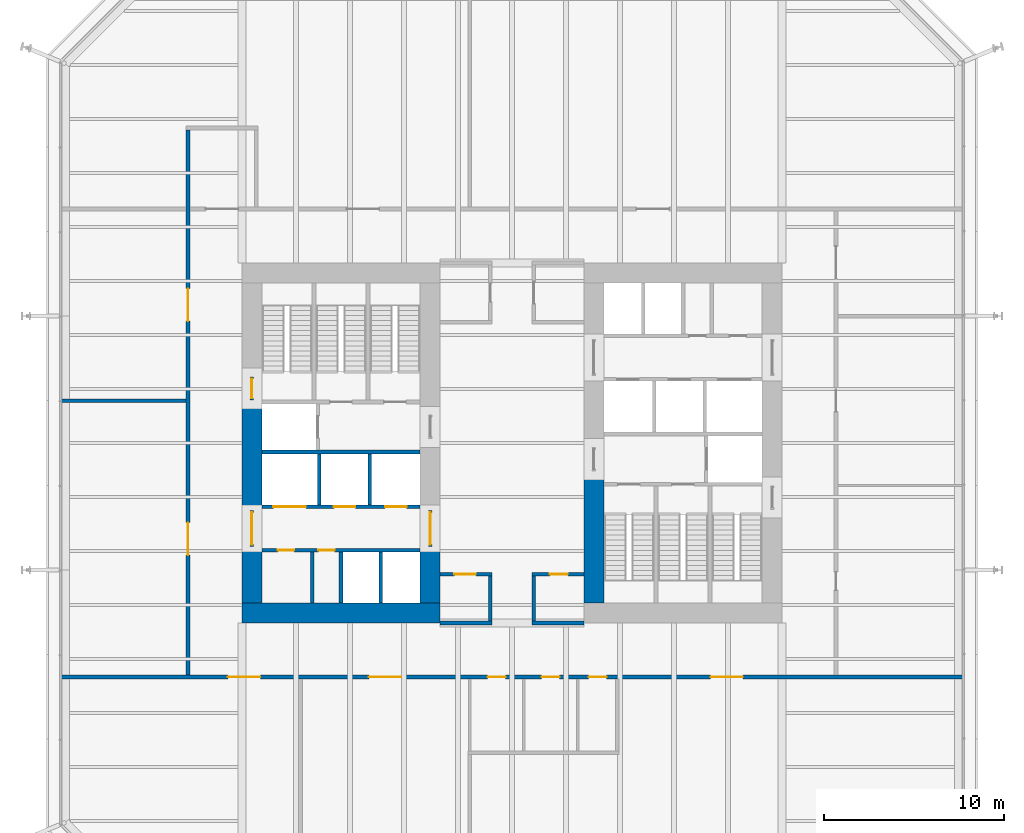
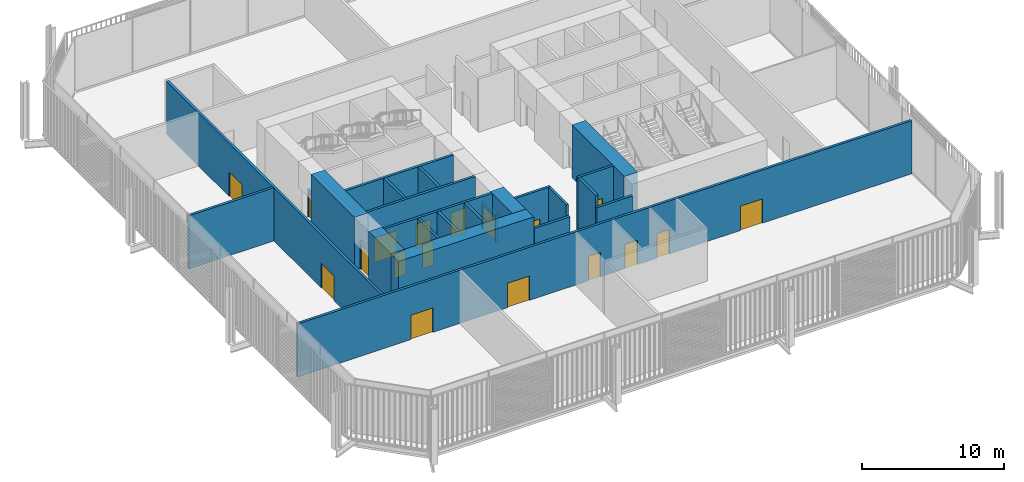
# One storey, part 18 of 22: 25 walls, 18 doors, 18 openings.
"""IFC4 building model written with IfcOpenShell, lengths in metres."""

from ifc_helpers import new_model, si_unit, direction, frame, frame_2d, origin, place, context, subcontext, project, spatial, rectangle, extrude, material, layer, layer_set, type_object, element, fill, save


model = new_model("IFC4")

# Units and contexts
model_context = context("Model", 3, precision=1e-05, world=origin(), true_north=direction((0.0, 1.0)))
body_context = subcontext(model_context, "Body", "Model", "MODEL_VIEW")
ifc_project = project(units=[si_unit("LENGTHUNIT", "METRE"), si_unit("AREAUNIT", "SQUARE_METRE"), si_unit("VOLUMEUNIT", "CUBIC_METRE"), si_unit("PLANEANGLEUNIT", "RADIAN"), si_unit("MASSUNIT", "GRAM", prefix="KILO")], contexts=[model_context])

# Site, building, storey
site_placement = place(None, origin())
site = spatial("IfcSite", under=ifc_project, at=site_placement, CompositionType="ELEMENT")
building_placement = place(site_placement, origin())
building = spatial("IfcBuilding", under=site, at=building_placement, Name="Millrace Tower", CompositionType="ELEMENT")
storey_placement = place(building_placement, frame((0.0, 0.0, 25.699951171875)))
storey = spatial("IfcBuildingStorey", under=building, at=storey_placement, Name="L06", CompositionType="ELEMENT", Elevation=25.699951171875)

# Walls
ifc_material_1 = material(Name="Concrete C80", Category="concrete")
ifc_layer_1 = layer(ifc_material_1, 1.10009765625)
ifc_layer_set_1 = layer_set([ifc_layer_1], Name="Concrete C80")
wall_type_1 = type_object("IfcWallType", Name="Core wall 1100 Concrete C80", PredefinedType="SHEAR", material=ifc_layer_set_1)
wall_1_placement = place(storey_placement, frame((-15.0, -9.449951171875, 0.0), z_axis=(0.0, 0.0, 1.0), x_axis=(1.0, 0.0, 0.0)))
element("IfcWall", 1, at=wall_1_placement, inside=storey, type_object=wall_type_1, Name="Core wall W L06", PredefinedType="SHEAR", context=body_context, shape_type="SweptSolid", body=[
    extrude(rectangle(XDim=11.0, YDim=1.10009765625, at=frame_2d((5.5, 0.0))), origin(), (0.0, 0.0, 1.0), 4.574951171875),
])
wall_2_placement = place(storey_placement, frame((-14.449951171875, -8.89990234375, 0.0), z_axis=(0.0, 0.0, 1.0), x_axis=(0.0, 1.0, 0.0)))
element("IfcWall", 2, at=wall_2_placement, inside=storey, type_object=wall_type_1, Name="Core wall W L06", PredefinedType="SHEAR", context=body_context, shape_type="SweptSolid", body=[
    extrude(rectangle(XDim=3.14990234375, YDim=1.10009765625, at=frame_2d((1.574951171875, 0.0))), origin(), (0.0, 0.0, 1.0), 4.574951171875),
])
wall_3_placement = place(storey_placement, frame((-14.449951171875, -3.75, 0.0), z_axis=(0.0, 0.0, 1.0), x_axis=(0.0, 1.0, 0.0)))
element("IfcWall", 3, at=wall_3_placement, inside=storey, type_object=wall_type_1, Name="Core wall W L06", PredefinedType="SHEAR", context=body_context, shape_type="SweptSolid", body=[
    extrude(rectangle(XDim=6.1298828125, YDim=1.10009765625, at=frame_2d((3.06494140625, 0.0))), origin(), (0.0, 0.0, 1.0), 4.574951171875),
])
wall_4_placement = place(storey_placement, frame((-4.550048828125, -8.89990234375, 0.0), z_axis=(0.0, 0.0, 1.0), x_axis=(0.0, 1.0, 0.0)))
element("IfcWall", 4, at=wall_4_placement, inside=storey, type_object=wall_type_1, Name="Core wall W L06", PredefinedType="SHEAR", context=body_context, shape_type="SweptSolid", body=[
    extrude(rectangle(XDim=3.14990234375, YDim=1.10009765625, at=frame_2d((1.574951171875, 0.0))), origin(), (0.0, 0.0, 1.0), 4.574951171875),
])
wall_5_placement = place(storey_placement, frame((4.550048828125, -1.550048828125, 0.0), z_axis=(0.0, 0.0, 1.0), x_axis=(0.0, -1.0, 0.0)))
element("IfcWall", 5, at=wall_5_placement, inside=storey, type_object=wall_type_1, Name="Core wall E L06", PredefinedType="SHEAR", context=body_context, shape_type="SweptSolid", body=[
    extrude(rectangle(XDim=7.349853515625, YDim=1.10009765625, at=frame_2d((3.6748046875, 0.0))), origin(), (0.0, 0.0, 1.0), 4.574951171875),
])

# Wall, openings, doors
ifc_material_2 = material(Name="Masonry partition, fire-rated", Category="masonry")
ifc_layer_2 = layer(ifc_material_2, 0.199951171875)
ifc_layer_set_2 = layer_set([ifc_layer_2], Name="Masonry partition, fire-rated")
wall_type_2 = type_object("IfcWallType", Name="Corridor wall 200", PredefinedType="PARTITIONING", material=ifc_layer_set_2)
wall_6_placement = place(storey_placement, frame((-25.030029296875, -13.0, 0.0), z_axis=(0.0, 0.0, 1.0), x_axis=(1.0, 0.0, 0.0)))
wall_6 = element("IfcWall", 6, at=wall_6_placement, inside=storey, type_object=wall_type_2, Name="Corridor wall L06", PredefinedType="PARTITIONING", context=body_context, shape_type="SweptSolid", body=[
    extrude(rectangle(XDim=50.06005859375, YDim=0.199951171875, at=frame_2d((25.030029296875, 0.0))), origin(), (0.0, 0.0, 1.0), 4.574951171875),
])
opening_1_placement = place(wall_6_placement, frame((9.25, 0.0, 0.0)))
opening_1 = element("IfcOpeningElement", 7, at=opening_1_placement, cuts=wall_6, Name="Opening 06-P005", PredefinedType="OPENING", context=body_context, shape_type="SweptSolid", body=[
    extrude(rectangle(XDim=1.800048828125, YDim=2.10009765625, at=frame_2d((0.89990234375, 1.050048828125))), frame((0.0, 0.10986328125, 0.0), z_axis=(0.0, -1.0, 0.0), x_axis=(1.0, 0.0, 0.0)), (0.0, 0.0, 1.0), 0.219970703125),
])
opening_2_placement = place(wall_6_placement, frame((17.080078125, 0.0, 0.0)))
opening_2 = element("IfcOpeningElement", 8, at=opening_2_placement, cuts=wall_6, Name="Opening 06-P006", PredefinedType="OPENING", context=body_context, shape_type="SweptSolid", body=[
    extrude(rectangle(XDim=1.800048828125, YDim=2.10009765625, at=frame_2d((0.89990234375, 1.050048828125))), frame((0.0, 0.10986328125, 0.0), z_axis=(0.0, -1.0, 0.0), x_axis=(1.0, 0.0, 0.0)), (0.0, 0.0, 1.0), 0.219970703125),
])
opening_3_placement = place(wall_6_placement, frame((36.06005859375, 0.0, 0.0)))
opening_3 = element("IfcOpeningElement", 9, at=opening_3_placement, cuts=wall_6, Name="Opening 06-P007", PredefinedType="OPENING", context=body_context, shape_type="SweptSolid", body=[
    extrude(rectangle(XDim=1.800048828125, YDim=2.10009765625, at=frame_2d((0.89990234375, 1.050048828125))), frame((0.0, 0.10986328125, 0.0), z_axis=(0.0, -1.0, 0.0), x_axis=(1.0, 0.0, 0.0)), (0.0, 0.0, 1.0), 0.219970703125),
])
opening_4_placement = place(wall_6_placement, frame((23.679931640625, 0.0, 0.0)))
opening_4 = element("IfcOpeningElement", 10, at=opening_4_placement, cuts=wall_6, Name="Opening 06-P008", PredefinedType="OPENING", context=body_context, shape_type="SweptSolid", body=[
    extrude(rectangle(XDim=1.0, YDim=2.10009765625, at=frame_2d((0.5, 1.050048828125))), frame((0.0, 0.10986328125, 0.0), z_axis=(0.0, -1.0, 0.0), x_axis=(1.0, 0.0, 0.0)), (0.0, 0.0, 1.0), 0.219970703125),
])
opening_5_placement = place(wall_6_placement, frame((26.679931640625, 0.0, 0.0)))
opening_5 = element("IfcOpeningElement", 11, at=opening_5_placement, cuts=wall_6, Name="Opening 06-P009", PredefinedType="OPENING", context=body_context, shape_type="SweptSolid", body=[
    extrude(rectangle(XDim=1.0, YDim=2.10009765625, at=frame_2d((0.5, 1.050048828125))), frame((0.0, 0.10986328125, 0.0), z_axis=(0.0, -1.0, 0.0), x_axis=(1.0, 0.0, 0.0)), (0.0, 0.0, 1.0), 0.219970703125),
])
opening_6_placement = place(wall_6_placement, frame((29.280029296875, 0.0, 0.0)))
opening_6 = element("IfcOpeningElement", 12, at=opening_6_placement, cuts=wall_6, Name="Opening 06-P010", PredefinedType="OPENING", context=body_context, shape_type="SweptSolid", body=[
    extrude(rectangle(XDim=1.0, YDim=2.10009765625, at=frame_2d((0.5, 1.050048828125))), frame((0.0, 0.10986328125, 0.0), z_axis=(0.0, -1.0, 0.0), x_axis=(1.0, 0.0, 0.0)), (0.0, 0.0, 1.0), 0.219970703125),
])
ifc_material_3 = material(Name="Steel door set, fire-rated", Category="steel")
door_type_1 = type_object("IfcDoorType", Name="Corridor door 1000 x 2100", OperationType="SINGLE_SWING_LEFT", PredefinedType="DOOR", material=ifc_material_3)
door_1_placement = place(opening_4_placement, frame((1.0, 0.0, 0.0), z_axis=(0.0, 0.0, 1.0), x_axis=(-1.0, 0.0, 0.0)))
door_1 = element("IfcDoor", 13, at=door_1_placement, inside=storey, type_object=door_type_1, Name="Door 06-P008", OperationType="SINGLE_SWING_RIGHT", OverallHeight=2.10009765625, OverallWidth=1.0, PredefinedType="DOOR", context=body_context, shape_type="SweptSolid", body=[
    extrude(rectangle(XDim=1.0, YDim=2.10009765625, at=frame_2d((0.5, 1.050048828125))), frame((0.0, 0.02490234375, 0.0), z_axis=(0.0, -1.0, 0.0), x_axis=(1.0, 0.0, 0.0)), (0.0, 0.0, 1.0), 0.050048828125),
])
fill(opening_4, door_1)
door_2_placement = place(opening_5_placement, frame((1.0, 0.0, 0.0), z_axis=(0.0, 0.0, 1.0), x_axis=(-1.0, 0.0, 0.0)))
door_2 = element("IfcDoor", 14, at=door_2_placement, inside=storey, type_object=door_type_1, Name="Door 06-P009", OperationType="SINGLE_SWING_LEFT", OverallHeight=2.10009765625, OverallWidth=1.0, PredefinedType="DOOR", context=body_context, shape_type="SweptSolid", body=[
    extrude(rectangle(XDim=1.0, YDim=2.10009765625, at=frame_2d((0.5, 1.050048828125))), frame((0.0, 0.02490234375, 0.0), z_axis=(0.0, -1.0, 0.0), x_axis=(1.0, 0.0, 0.0)), (0.0, 0.0, 1.0), 0.050048828125),
])
fill(opening_5, door_2)
door_3_placement = place(opening_6_placement, frame((1.0, 0.0, 0.0), z_axis=(0.0, 0.0, 1.0), x_axis=(-1.0, 0.0, 0.0)))
door_3 = element("IfcDoor", 15, at=door_3_placement, inside=storey, type_object=door_type_1, Name="Door 06-P010", OperationType="SINGLE_SWING_LEFT", OverallHeight=2.10009765625, OverallWidth=1.0, PredefinedType="DOOR", context=body_context, shape_type="SweptSolid", body=[
    extrude(rectangle(XDim=1.0, YDim=2.10009765625, at=frame_2d((0.5, 1.050048828125))), frame((0.0, 0.02490234375, 0.0), z_axis=(0.0, -1.0, 0.0), x_axis=(1.0, 0.0, 0.0)), (0.0, 0.0, 1.0), 0.050048828125),
])
fill(opening_6, door_3)
ifc_material_4 = material(Name="Steel door set, fire-rated", Category="steel")
door_type_2 = type_object("IfcDoorType", Name="Corridor door 1800 x 2100", OperationType="DOUBLE_DOOR_SINGLE_SWING", PredefinedType="DOOR", material=ifc_material_4)
door_4_placement = place(opening_2_placement, frame((1.800048828125, 0.0, 0.0), z_axis=(0.0, 0.0, 1.0), x_axis=(-1.0, 0.0, 0.0)))
door_4 = element("IfcDoor", 16, at=door_4_placement, inside=storey, type_object=door_type_2, Name="Door 06-P006", OperationType="DOUBLE_DOOR_SINGLE_SWING", OverallHeight=2.10009765625, OverallWidth=1.800048828125, PredefinedType="DOOR", context=body_context, shape_type="SweptSolid", body=[
    extrude(rectangle(XDim=1.800048828125, YDim=2.10009765625, at=frame_2d((0.89990234375, 1.050048828125))), frame((0.0, 0.02490234375, 0.0), z_axis=(0.0, -1.0, 0.0), x_axis=(1.0, 0.0, 0.0)), (0.0, 0.0, 1.0), 0.050048828125),
])
fill(opening_2, door_4)
ifc_material_5 = material(Name="Steel door set, fire-rated", Category="steel")
door_type_3 = type_object("IfcDoorType", Name="Data hall door 1800 x 2100", OperationType="DOUBLE_DOOR_SINGLE_SWING", PredefinedType="DOOR", material=ifc_material_5)
door_5_placement = place(opening_1_placement, frame((1.800048828125, 0.0, 0.0), z_axis=(0.0, 0.0, 1.0), x_axis=(-1.0, 0.0, 0.0)))
door_5 = element("IfcDoor", 17, at=door_5_placement, inside=storey, type_object=door_type_3, Name="Door 06-P005", OperationType="DOUBLE_DOOR_SINGLE_SWING", OverallHeight=2.10009765625, OverallWidth=1.800048828125, PredefinedType="DOOR", context=body_context, shape_type="SweptSolid", body=[
    extrude(rectangle(XDim=1.800048828125, YDim=2.10009765625, at=frame_2d((0.89990234375, 1.050048828125))), frame((0.0, 0.02490234375, 0.0), z_axis=(0.0, -1.0, 0.0), x_axis=(1.0, 0.0, 0.0)), (0.0, 0.0, 1.0), 0.050048828125),
])
fill(opening_1, door_5)
door_6_placement = place(opening_3_placement, frame((1.800048828125, 0.0, 0.0), z_axis=(0.0, 0.0, 1.0), x_axis=(-1.0, 0.0, 0.0)))
door_6 = element("IfcDoor", 18, at=door_6_placement, inside=storey, type_object=door_type_3, Name="Door 06-P007", OperationType="DOUBLE_DOOR_SINGLE_SWING", OverallHeight=2.10009765625, OverallWidth=1.800048828125, PredefinedType="DOOR", context=body_context, shape_type="SweptSolid", body=[
    extrude(rectangle(XDim=1.800048828125, YDim=2.10009765625, at=frame_2d((0.89990234375, 1.050048828125))), frame((0.0, 0.02490234375, 0.0), z_axis=(0.0, -1.0, 0.0), x_axis=(1.0, 0.0, 0.0)), (0.0, 0.0, 1.0), 0.050048828125),
])
fill(opening_3, door_6)

# Walls
for number, where, z_axis, x_axis, name in (
    (19, (-4.0, -10.0, 0.0), (0.0, 0.0, 1.0), (1.0, 0.0, 0.0), "Corridor wall L06"),
    (20, (1.10009765625, -10.0, 0.0), (0.0, 0.0, 1.0), (1.0, 0.0, 0.0), "Corridor wall L06"),
):
    element("IfcWall", number, at=place(storey_placement, frame(where, z_axis=z_axis, x_axis=x_axis)), inside=storey, type_object=wall_type_2, Name=name, PredefinedType="PARTITIONING", context=body_context, shape_type="SweptSolid", body=[
        extrude(rectangle(XDim=2.89990234375, YDim=0.199951171875, at=frame_2d((1.449951171875, 0.0))), origin(), (0.0, 0.0, 1.0), 3.627685546875),
    ])

# Wall, opening, door
wall_7_placement = place(storey_placement, frame((-4.0, -7.300048828125, 0.0), z_axis=(0.0, 0.0, 1.0), x_axis=(1.0, 0.0, 0.0)))
wall_7 = element("IfcWall", 21, at=wall_7_placement, inside=storey, type_object=wall_type_2, Name="Corridor wall L06", PredefinedType="PARTITIONING", context=body_context, shape_type="SweptSolid", body=[
    extrude(rectangle(XDim=2.89990234375, YDim=0.199951171875, at=frame_2d((1.449951171875, 0.0))), origin(), (0.0, 0.0, 1.0), 4.574951171875),
])
opening_7_placement = place(wall_7_placement, frame((0.800048828125, 0.0, 0.0)))
opening_7 = element("IfcOpeningElement", 22, at=opening_7_placement, cuts=wall_7, Name="Opening 06-P003", PredefinedType="OPENING", context=body_context, shape_type="SweptSolid", body=[
    extrude(rectangle(XDim=1.199951171875, YDim=2.10009765625, at=frame_2d((0.60009765625, 1.050048828125))), frame((0.0, 0.10986328125, 0.0), z_axis=(0.0, -1.0, 0.0), x_axis=(1.0, 0.0, 0.0)), (0.0, 0.0, 1.0), 0.219970703125),
])
ifc_material_6 = material(Name="Steel door set, fire-rated", Category="steel")
door_type_4 = type_object("IfcDoorType", Name="Corridor door 1200 x 2100", OperationType="SINGLE_SWING_LEFT", PredefinedType="DOOR", material=ifc_material_6)
door_7_placement = place(opening_7_placement, frame((1.199951171875, 0.0, 0.0), z_axis=(0.0, 0.0, 1.0), x_axis=(-1.0, 0.0, 0.0)))
door_7 = element("IfcDoor", 23, at=door_7_placement, inside=storey, type_object=door_type_4, Name="Door 06-P003", OperationType="SINGLE_SWING_RIGHT", OverallHeight=2.10009765625, OverallWidth=1.199951171875, PredefinedType="DOOR", context=body_context, shape_type="SweptSolid", body=[
    extrude(rectangle(XDim=1.199951171875, YDim=2.10009765625, at=frame_2d((0.60009765625, 1.050048828125))), frame((0.0, 0.02490234375, 0.0), z_axis=(0.0, -1.0, 0.0), x_axis=(1.0, 0.0, 0.0)), (0.0, 0.0, 1.0), 0.050048828125),
])
fill(opening_7, door_7)

wall_8_placement = place(storey_placement, frame((1.10009765625, -7.300048828125, 0.0), z_axis=(0.0, 0.0, 1.0), x_axis=(1.0, 0.0, 0.0)))
wall_8 = element("IfcWall", 24, at=wall_8_placement, inside=storey, type_object=wall_type_2, Name="Corridor wall L06", PredefinedType="PARTITIONING", context=body_context, shape_type="SweptSolid", body=[
    extrude(rectangle(XDim=2.89990234375, YDim=0.199951171875, at=frame_2d((1.449951171875, 0.0))), origin(), (0.0, 0.0, 1.0), 4.574951171875),
])
opening_8_placement = place(wall_8_placement, frame((1.0, 0.0, 0.0)))
opening_8 = element("IfcOpeningElement", 25, at=opening_8_placement, cuts=wall_8, Name="Opening 06-P004", PredefinedType="OPENING", context=body_context, shape_type="SweptSolid", body=[
    extrude(rectangle(XDim=1.0, YDim=2.10009765625, at=frame_2d((0.5, 1.050048828125))), frame((0.0, 0.10986328125, 0.0), z_axis=(0.0, -1.0, 0.0), x_axis=(1.0, 0.0, 0.0)), (0.0, 0.0, 1.0), 0.219970703125),
])
door_8_placement = place(opening_8_placement, frame((1.0, 0.0, 0.0), z_axis=(0.0, 0.0, 1.0), x_axis=(-1.0, 0.0, 0.0)))
door_8 = element("IfcDoor", 26, at=door_8_placement, inside=storey, type_object=door_type_1, Name="Door 06-P004", OperationType="SINGLE_SWING_RIGHT", OverallHeight=2.10009765625, OverallWidth=1.0, PredefinedType="DOOR", context=body_context, shape_type="SweptSolid", body=[
    extrude(rectangle(XDim=1.0, YDim=2.10009765625, at=frame_2d((0.5, 1.050048828125))), frame((0.0, 0.02490234375, 0.0), z_axis=(0.0, -1.0, 0.0), x_axis=(1.0, 0.0, 0.0)), (0.0, 0.0, 1.0), 0.050048828125),
])
fill(opening_8, door_8)

# Walls
wall_9_placement = place(storey_placement, frame((-25.030029296875, 2.35009765625, 0.0), z_axis=(0.0, 0.0, 1.0), x_axis=(1.0, 0.0, 0.0)))
element("IfcWall", 27, at=wall_9_placement, inside=storey, type_object=wall_type_2, Name="Corridor wall L06", PredefinedType="PARTITIONING", context=body_context, shape_type="SweptSolid", body=[
    extrude(rectangle(XDim=6.929931640625, YDim=0.199951171875, at=frame_2d((3.46484375, 0.0))), origin(), (0.0, 0.0, 1.0), 4.574951171875),
])
for number, where, z_axis, x_axis, name in (
    (28, (1.199951171875, -9.89990234375, 0.0), (0.0, 0.0, 1.0), (0.0, 1.0, 0.0), "Corridor wall L06"),
    (29, (-1.199951171875, -9.89990234375, 0.0), (0.0, 0.0, 1.0), (0.0, 1.0, 0.0), "Corridor wall L06"),
):
    element("IfcWall", number, at=place(storey_placement, frame(where, z_axis=z_axis, x_axis=x_axis)), inside=storey, type_object=wall_type_2, Name=name, PredefinedType="PARTITIONING", context=body_context, shape_type="SweptSolid", body=[
        extrude(rectangle(XDim=2.5, YDim=0.199951171875, at=frame_2d((1.25, 0.0))), origin(), (0.0, 0.0, 1.0), 4.574951171875),
    ])

# Wall, openings, doors
wall_10_placement = place(storey_placement, frame((-18.0, -12.89990234375, 0.0), z_axis=(0.0, 0.0, 1.0), x_axis=(0.0, 1.0, 0.0)))
wall_10 = element("IfcWall", 30, at=wall_10_placement, inside=storey, type_object=wall_type_2, Name="Corridor wall L06", PredefinedType="PARTITIONING", context=body_context, shape_type="SweptSolid", body=[
    extrude(rectangle(XDim=30.2998046875, YDim=0.199951171875, at=frame_2d((15.14990234375, 0.0))), origin(), (0.0, 0.0, 1.0), 4.574951171875),
])
opening_9_placement = place(wall_10_placement, frame((6.675048828125, 0.0, 0.0)))
opening_9 = element("IfcOpeningElement", 31, at=opening_9_placement, cuts=wall_10, Name="Opening 06-P017", PredefinedType="OPENING", context=body_context, shape_type="SweptSolid", body=[
    extrude(rectangle(XDim=1.800048828125, YDim=2.10009765625, at=frame_2d((0.89990234375, 1.050048828125))), frame((0.0, 0.10986328125, 0.0), z_axis=(0.0, -1.0, 0.0), x_axis=(1.0, 0.0, 0.0)), (0.0, 0.0, 1.0), 0.219970703125),
])
opening_10_placement = place(wall_10_placement, frame((19.675048828125, 0.0, 0.0)))
opening_10 = element("IfcOpeningElement", 32, at=opening_10_placement, cuts=wall_10, Name="Opening 06-P018", PredefinedType="OPENING", context=body_context, shape_type="SweptSolid", body=[
    extrude(rectangle(XDim=1.800048828125, YDim=2.10009765625, at=frame_2d((0.89990234375, 1.050048828125))), frame((0.0, 0.10986328125, 0.0), z_axis=(0.0, -1.0, 0.0), x_axis=(1.0, 0.0, 0.0)), (0.0, 0.0, 1.0), 0.219970703125),
])
door_9_placement = place(opening_9_placement, origin())
door_9 = element("IfcDoor", 33, at=door_9_placement, inside=storey, type_object=door_type_3, Name="Door 06-P017", OperationType="DOUBLE_DOOR_SINGLE_SWING", OverallHeight=2.10009765625, OverallWidth=1.800048828125, PredefinedType="DOOR", context=body_context, shape_type="SweptSolid", body=[
    extrude(rectangle(XDim=1.800048828125, YDim=2.10009765625, at=frame_2d((0.89990234375, 1.050048828125))), frame((0.0, 0.02490234375, 0.0), z_axis=(0.0, -1.0, 0.0), x_axis=(1.0, 0.0, 0.0)), (0.0, 0.0, 1.0), 0.050048828125),
])
fill(opening_9, door_9)
door_10_placement = place(opening_10_placement, origin())
door_10 = element("IfcDoor", 34, at=door_10_placement, inside=storey, type_object=door_type_3, Name="Door 06-P018", OperationType="DOUBLE_DOOR_SINGLE_SWING", OverallHeight=2.10009765625, OverallWidth=1.800048828125, PredefinedType="DOOR", context=body_context, shape_type="SweptSolid", body=[
    extrude(rectangle(XDim=1.800048828125, YDim=2.10009765625, at=frame_2d((0.89990234375, 1.050048828125))), frame((0.0, 0.02490234375, 0.0), z_axis=(0.0, -1.0, 0.0), x_axis=(1.0, 0.0, 0.0)), (0.0, 0.0, 1.0), 0.050048828125),
])
fill(opening_10, door_10)

ifc_material_7 = material(Name="Masonry partition, fire-rated", Category="masonry")
ifc_layer_3 = layer(ifc_material_7, 0.199951171875)
ifc_layer_set_3 = layer_set([ifc_layer_3], Name="Masonry partition, fire-rated")
wall_type_3 = type_object("IfcWallType", Name="Lift shaft wall 200", PredefinedType="PARTITIONING", material=ifc_layer_set_3)
wall_11_placement = place(storey_placement, frame((-13.89990234375, -5.949951171875, 0.0), z_axis=(0.0, 0.0, 1.0), x_axis=(1.0, 0.0, 0.0)))
wall_11 = element("IfcWall", 35, at=wall_11_placement, inside=storey, type_object=wall_type_3, Name="Lift shaft wall W L06", PredefinedType="PARTITIONING", context=body_context, shape_type="SweptSolid", body=[
    extrude(rectangle(XDim=8.7998046875, YDim=0.199951171875, at=frame_2d((4.39990234375, 0.0))), origin(), (0.0, 0.0, 1.0), 4.574951171875),
])
opening_11_placement = place(wall_11_placement, frame((0.8974609375, 0.0, 0.0)))
opening_11 = element("IfcOpeningElement", 36, at=opening_11_placement, cuts=wall_11, Name="Opening 06-C005", PredefinedType="OPENING", context=body_context, shape_type="SweptSolid", body=[
    extrude(rectangle(XDim=0.89990234375, YDim=2.10009765625, at=frame_2d((0.449951171875, 1.050048828125))), frame((0.0, 0.10986328125, 0.0), z_axis=(0.0, -1.0, 0.0), x_axis=(1.0, 0.0, 0.0)), (0.0, 0.0, 1.0), 0.219970703125),
])
opening_12_placement = place(wall_11_placement, frame((3.1474609375, 0.0, 0.0)))
opening_12 = element("IfcOpeningElement", 37, at=opening_12_placement, cuts=wall_11, Name="Opening 06-C006", PredefinedType="OPENING", context=body_context, shape_type="SweptSolid", body=[
    extrude(rectangle(XDim=0.89990234375, YDim=2.10009765625, at=frame_2d((0.449951171875, 1.050048828125))), frame((0.0, 0.10986328125, 0.0), z_axis=(0.0, -1.0, 0.0), x_axis=(1.0, 0.0, 0.0)), (0.0, 0.0, 1.0), 0.219970703125),
])
ifc_material_8 = material(Name="Steel door, fire-rated", Category="steel")
door_type_5 = type_object("IfcDoorType", Name="Service room door 900 x 2100", OperationType="SINGLE_SWING_LEFT", PredefinedType="DOOR", material=ifc_material_8)
door_11_placement = place(opening_11_placement, frame((0.89990234375, 0.0, 0.0), z_axis=(0.0, 0.0, 1.0), x_axis=(-1.0, 0.0, 0.0)))
door_11 = element("IfcDoor", 38, at=door_11_placement, inside=storey, type_object=door_type_5, Name="Service room door 06-C005", OperationType="SINGLE_SWING_RIGHT", OverallHeight=2.10009765625, OverallWidth=0.89990234375, PredefinedType="DOOR", context=body_context, shape_type="SweptSolid", body=[
    extrude(rectangle(XDim=0.89990234375, YDim=2.10009765625, at=frame_2d((0.449951171875, 1.050048828125))), frame((0.0, 0.02490234375, 0.0), z_axis=(0.0, -1.0, 0.0), x_axis=(1.0, 0.0, 0.0)), (0.0, 0.0, 1.0), 0.050048828125),
])
fill(opening_11, door_11)
door_12_placement = place(opening_12_placement, frame((0.89990234375, 0.0, 0.0), z_axis=(0.0, 0.0, 1.0), x_axis=(-1.0, 0.0, 0.0)))
door_12 = element("IfcDoor", 39, at=door_12_placement, inside=storey, type_object=door_type_5, Name="Service room door 06-C006", OperationType="SINGLE_SWING_RIGHT", OverallHeight=2.10009765625, OverallWidth=0.89990234375, PredefinedType="DOOR", context=body_context, shape_type="SweptSolid", body=[
    extrude(rectangle(XDim=0.89990234375, YDim=2.10009765625, at=frame_2d((0.449951171875, 1.050048828125))), frame((0.0, 0.02490234375, 0.0), z_axis=(0.0, -1.0, 0.0), x_axis=(1.0, 0.0, 0.0)), (0.0, 0.0, 1.0), 0.050048828125),
])
fill(opening_12, door_12)

wall_12_placement = place(storey_placement, frame((-13.89990234375, -3.550048828125, 0.0), z_axis=(0.0, 0.0, 1.0), x_axis=(1.0, 0.0, 0.0)))
wall_12 = element("IfcWall", 40, at=wall_12_placement, inside=storey, type_object=wall_type_3, Name="Lift shaft wall W L06", PredefinedType="PARTITIONING", context=body_context, shape_type="SweptSolid", body=[
    extrude(rectangle(XDim=8.7998046875, YDim=0.199951171875, at=frame_2d((4.39990234375, 0.0))), origin(), (0.0, 0.0, 1.0), 4.574951171875),
])
opening_13_placement = place(wall_12_placement, frame((0.64990234375, 0.0, 0.0)))
opening_13 = element("IfcOpeningElement", 41, at=opening_13_placement, cuts=wall_12, Name="Opening 06-LD05", PredefinedType="OPENING", context=body_context, shape_type="SweptSolid", body=[
    extrude(rectangle(XDim=1.800048828125, YDim=2.10009765625, at=frame_2d((0.89990234375, 1.050048828125))), frame((0.0, 0.10986328125, 0.0), z_axis=(0.0, -1.0, 0.0), x_axis=(1.0, 0.0, 0.0)), (0.0, 0.0, 1.0), 0.219970703125),
])
opening_14_placement = place(wall_12_placement, frame((4.0, 0.0, 0.0)))
opening_14 = element("IfcOpeningElement", 42, at=opening_14_placement, cuts=wall_12, Name="Opening 06-LD06", PredefinedType="OPENING", context=body_context, shape_type="SweptSolid", body=[
    extrude(rectangle(XDim=1.199951171875, YDim=2.10009765625, at=frame_2d((0.60009765625, 1.050048828125))), frame((0.0, 0.10986328125, 0.0), z_axis=(0.0, -1.0, 0.0), x_axis=(1.0, 0.0, 0.0)), (0.0, 0.0, 1.0), 0.219970703125),
])
opening_15_placement = place(wall_12_placement, frame((6.85009765625, 0.0, 0.0)))
opening_15 = element("IfcOpeningElement", 43, at=opening_15_placement, cuts=wall_12, Name="Opening 06-LD07", PredefinedType="OPENING", context=body_context, shape_type="SweptSolid", body=[
    extrude(rectangle(XDim=1.199951171875, YDim=2.10009765625, at=frame_2d((0.60009765625, 1.050048828125))), frame((0.0, 0.10986328125, 0.0), z_axis=(0.0, -1.0, 0.0), x_axis=(1.0, 0.0, 0.0)), (0.0, 0.0, 1.0), 0.219970703125),
])
ifc_material_9 = material(Name="Stainless steel, fire-rated", Category="steel")
door_type_6 = type_object("IfcDoorType", Name="Lift landing door 1200 x 2100", OperationType="DOUBLE_DOOR_SLIDING", PredefinedType="DOOR", material=ifc_material_9)
door_13_placement = place(opening_14_placement, origin())
door_13 = element("IfcDoor", 44, at=door_13_placement, inside=storey, type_object=door_type_6, Name="Lift landing door LF6 L06", OperationType="DOUBLE_DOOR_SLIDING", OverallHeight=2.10009765625, OverallWidth=1.199951171875, PredefinedType="DOOR", context=body_context, shape_type="SweptSolid", body=[
    extrude(rectangle(XDim=1.199951171875, YDim=2.10009765625, at=frame_2d((0.60009765625, 1.050048828125))), frame((0.0, 0.02490234375, 0.0), z_axis=(0.0, -1.0, 0.0), x_axis=(1.0, 0.0, 0.0)), (0.0, 0.0, 1.0), 0.050048828125),
])
fill(opening_14, door_13)
door_14_placement = place(opening_15_placement, origin())
door_14 = element("IfcDoor", 45, at=door_14_placement, inside=storey, type_object=door_type_6, Name="Lift landing door LF7 L06", OperationType="DOUBLE_DOOR_SLIDING", OverallHeight=2.10009765625, OverallWidth=1.199951171875, PredefinedType="DOOR", context=body_context, shape_type="SweptSolid", body=[
    extrude(rectangle(XDim=1.199951171875, YDim=2.10009765625, at=frame_2d((0.60009765625, 1.050048828125))), frame((0.0, 0.02490234375, 0.0), z_axis=(0.0, -1.0, 0.0), x_axis=(1.0, 0.0, 0.0)), (0.0, 0.0, 1.0), 0.050048828125),
])
fill(opening_15, door_14)
ifc_material_10 = material(Name="Stainless steel, fire-rated", Category="steel")
door_type_7 = type_object("IfcDoorType", Name="Lift landing door 1800 x 2100", OperationType="DOUBLE_DOOR_SLIDING", PredefinedType="DOOR", material=ifc_material_10)
door_15_placement = place(opening_13_placement, origin())
door_15 = element("IfcDoor", 46, at=door_15_placement, inside=storey, type_object=door_type_7, Name="Lift landing door LF5 L06", OperationType="DOUBLE_DOOR_SLIDING", OverallHeight=2.10009765625, OverallWidth=1.800048828125, PredefinedType="DOOR", context=body_context, shape_type="SweptSolid", body=[
    extrude(rectangle(XDim=1.800048828125, YDim=2.10009765625, at=frame_2d((0.89990234375, 1.050048828125))), frame((0.0, 0.02490234375, 0.0), z_axis=(0.0, -1.0, 0.0), x_axis=(1.0, 0.0, 0.0)), (0.0, 0.0, 1.0), 0.050048828125),
])
fill(opening_13, door_15)

# Walls
wall_13_placement = place(storey_placement, frame((-13.89990234375, -0.5, 0.0), z_axis=(0.0, 0.0, 1.0), x_axis=(1.0, 0.0, 0.0)))
element("IfcWall", 47, at=wall_13_placement, inside=storey, type_object=wall_type_3, Name="Lift shaft wall W L06", PredefinedType="PARTITIONING", context=body_context, shape_type="SweptSolid", body=[
    extrude(rectangle(XDim=8.7998046875, YDim=0.199951171875, at=frame_2d((4.39990234375, 0.0))), origin(), (0.0, 0.0, 1.0), 4.574951171875),
])
for number, where, z_axis, x_axis, name in (
    (48, (-9.5, -8.89990234375, 0.0), (0.0, 0.0, 1.0), (0.0, 1.0, 0.0), "Lift shaft wall W L06"),
    (49, (-7.300048828125, -8.89990234375, 0.0), (0.0, 0.0, 1.0), (0.0, 1.0, 0.0), "Lift shaft wall W L06"),
    (50, (-10.699951171875, -3.449951171875, 0.0), (0.0, 0.0, 1.0), (0.0, 1.0, 0.0), "Lift shaft wall W L06"),
    (51, (-7.89990234375, -3.449951171875, 0.0), (0.0, 0.0, 1.0), (0.0, 1.0, 0.0), "Lift shaft wall W L06"),
):
    element("IfcWall", number, at=place(storey_placement, frame(where, z_axis=z_axis, x_axis=x_axis)), inside=storey, type_object=wall_type_3, Name=name, PredefinedType="PARTITIONING", context=body_context, shape_type="SweptSolid", body=[
        extrude(rectangle(XDim=2.849853515625, YDim=0.199951171875, at=frame_2d((1.4248046875, 0.0))), origin(), (0.0, 0.0, 1.0), 4.574951171875),
    ])

# Wall, opening, door
ifc_material_11 = material(Name="Masonry partition, fire-rated", Category="masonry")
ifc_layer_4 = layer(ifc_material_11, 0.199951171875)
ifc_layer_set_4 = layer_set([ifc_layer_4], Name="Masonry partition, fire-rated")
wall_type_4 = type_object("IfcWallType", Name="Lobby wall 200", PredefinedType="PARTITIONING", material=ifc_layer_set_4)
wall_14_placement = place(storey_placement, frame((-14.449951171875, -5.75, 0.0), z_axis=(0.0, 0.0, 1.0), x_axis=(0.0, 1.0, 0.0)))
wall_14 = element("IfcWall", 52, at=wall_14_placement, inside=storey, type_object=wall_type_4, Name="Lobby wall W L06", PredefinedType="PARTITIONING", context=body_context, shape_type="SweptSolid", body=[
    extrude(rectangle(XDim=2.0, YDim=0.199951171875, at=frame_2d((1.0, 0.0))), origin(), (0.0, 0.0, 1.0), 2.400146484375),
])
opening_16_placement = place(wall_14_placement, frame((0.10009765625, 0.0, 0.0)))
opening_16 = element("IfcOpeningElement", 53, at=opening_16_placement, cuts=wall_14, Name="Opening 06-C001", PredefinedType="OPENING", context=body_context, shape_type="SweptSolid", body=[
    extrude(rectangle(XDim=1.800048828125, YDim=2.10009765625, at=frame_2d((0.89990234375, 1.050048828125))), frame((0.0, 0.10986328125, 0.0), z_axis=(0.0, -1.0, 0.0), x_axis=(1.0, 0.0, 0.0)), (0.0, 0.0, 1.0), 0.219970703125),
])
ifc_material_12 = material(Name="Steel door, fire-rated", Category="steel")
door_type_8 = type_object("IfcDoorType", Name="Lobby door 1800 x 2100", OperationType="DOUBLE_DOOR_SINGLE_SWING", PredefinedType="DOOR", material=ifc_material_12)
door_16_placement = place(opening_16_placement, origin())
door_16 = element("IfcDoor", 54, at=door_16_placement, inside=storey, type_object=door_type_8, Name="Lobby door 06-C001", OperationType="DOUBLE_DOOR_SINGLE_SWING", OverallHeight=2.10009765625, OverallWidth=1.800048828125, PredefinedType="DOOR", context=body_context, shape_type="SweptSolid", body=[
    extrude(rectangle(XDim=1.800048828125, YDim=2.10009765625, at=frame_2d((0.89990234375, 1.050048828125))), frame((0.0, 0.02490234375, 0.0), z_axis=(0.0, -1.0, 0.0), x_axis=(1.0, 0.0, 0.0)), (0.0, 0.0, 1.0), 0.050048828125),
])
fill(opening_16, door_16)

wall_15_placement = place(storey_placement, frame((-4.550048828125, -5.75, 0.0), z_axis=(0.0, 0.0, 1.0), x_axis=(0.0, 1.0, 0.0)))
wall_15 = element("IfcWall", 55, at=wall_15_placement, inside=storey, type_object=wall_type_4, Name="Lobby wall W L06", PredefinedType="PARTITIONING", context=body_context, shape_type="SweptSolid", body=[
    extrude(rectangle(XDim=2.0, YDim=0.199951171875, at=frame_2d((1.0, 0.0))), origin(), (0.0, 0.0, 1.0), 2.400146484375),
])
opening_17_placement = place(wall_15_placement, frame((0.10009765625, 0.0, 0.0)))
opening_17 = element("IfcOpeningElement", 56, at=opening_17_placement, cuts=wall_15, Name="Opening 06-C003", PredefinedType="OPENING", context=body_context, shape_type="SweptSolid", body=[
    extrude(rectangle(XDim=1.800048828125, YDim=2.10009765625, at=frame_2d((0.89990234375, 1.050048828125))), frame((0.0, 0.10986328125, 0.0), z_axis=(0.0, -1.0, 0.0), x_axis=(1.0, 0.0, 0.0)), (0.0, 0.0, 1.0), 0.219970703125),
])
door_17_placement = place(opening_17_placement, origin())
door_17 = element("IfcDoor", 57, at=door_17_placement, inside=storey, type_object=door_type_8, Name="Lobby door 06-C003", OperationType="DOUBLE_DOOR_SINGLE_SWING", OverallHeight=2.10009765625, OverallWidth=1.800048828125, PredefinedType="DOOR", context=body_context, shape_type="SweptSolid", body=[
    extrude(rectangle(XDim=1.800048828125, YDim=2.10009765625, at=frame_2d((0.89990234375, 1.050048828125))), frame((0.0, 0.02490234375, 0.0), z_axis=(0.0, -1.0, 0.0), x_axis=(1.0, 0.0, 0.0)), (0.0, 0.0, 1.0), 0.050048828125),
])
fill(opening_17, door_17)

# Wall
ifc_material_13 = material(Name="Masonry partition, fire-rated", Category="masonry")
ifc_layer_5 = layer(ifc_material_13, 0.199951171875)
ifc_layer_set_5 = layer_set([ifc_layer_5], Name="Masonry partition, fire-rated")
wall_type_5 = type_object("IfcWallType", Name="Room partition 200", PredefinedType="PARTITIONING", material=ifc_layer_set_5)
wall_16_placement = place(storey_placement, frame((-11.10498046875, -8.89990234375, 0.0), z_axis=(0.0, 0.0, 1.0), x_axis=(0.0, 1.0, 0.0)))
element("IfcWall", 58, at=wall_16_placement, inside=storey, type_object=wall_type_5, Name="Room partition W L06", PredefinedType="PARTITIONING", context=body_context, shape_type="SweptSolid", body=[
    extrude(rectangle(XDim=2.849853515625, YDim=0.199951171875, at=frame_2d((1.4248046875, 0.0))), origin(), (0.0, 0.0, 1.0), 4.574951171875),
])

# Wall, opening, door
ifc_material_14 = material(Name="Concrete C40", Category="concrete")
ifc_layer_6 = layer(ifc_material_14, 0.199951171875)
ifc_layer_set_6 = layer_set([ifc_layer_6], Name="Concrete C40")
wall_type_6 = type_object("IfcWallType", Name="Stair enclosure wall 200 Concrete C40", PredefinedType="SHEAR", material=ifc_layer_set_6)
wall_17_placement = place(storey_placement, frame((-14.449951171875, 2.3798828125, 0.0), z_axis=(0.0, 0.0, 1.0), x_axis=(0.0, 1.0, 0.0)))
wall_17 = element("IfcWall", 59, at=wall_17_placement, inside=storey, type_object=wall_type_6, Name="Stair enclosure wall W L06", PredefinedType="SHEAR", context=body_context, shape_type="SweptSolid", body=[
    extrude(rectangle(XDim=1.300048828125, YDim=0.199951171875, at=frame_2d((0.64990234375, 0.0))), origin(), (0.0, 0.0, 1.0), 2.400146484375),
])
opening_18_placement = place(wall_17_placement, frame((0.10009765625, 0.0, 0.0)))
opening_18 = element("IfcOpeningElement", 60, at=opening_18_placement, cuts=wall_17, Name="Opening 06-C002", PredefinedType="OPENING", context=body_context, shape_type="SweptSolid", body=[
    extrude(rectangle(XDim=1.10009765625, YDim=2.10009765625, at=frame_2d((0.550048828125, 1.050048828125))), frame((0.0, 0.10986328125, 0.0), z_axis=(0.0, -1.0, 0.0), x_axis=(1.0, 0.0, 0.0)), (0.0, 0.0, 1.0), 0.219970703125),
])
ifc_material_15 = material(Name="Steel door, fire-rated", Category="steel")
door_type_9 = type_object("IfcDoorType", Name="Stair door 1100 x 2100", OperationType="SINGLE_SWING_LEFT", PredefinedType="DOOR", material=ifc_material_15)
door_18_placement = place(opening_18_placement, origin())
door_18 = element("IfcDoor", 61, at=door_18_placement, inside=storey, type_object=door_type_9, Name="Stair door 06-C002", OperationType="SINGLE_SWING_LEFT", OverallHeight=2.10009765625, OverallWidth=1.10009765625, PredefinedType="DOOR", context=body_context, shape_type="SweptSolid", body=[
    extrude(rectangle(XDim=1.10009765625, YDim=2.10009765625, at=frame_2d((0.550048828125, 1.050048828125))), frame((0.0, 0.02490234375, 0.0), z_axis=(0.0, -1.0, 0.0), x_axis=(1.0, 0.0, 0.0)), (0.0, 0.0, 1.0), 0.050048828125),
])
fill(opening_18, door_18)

save(model, "model.ifc")
